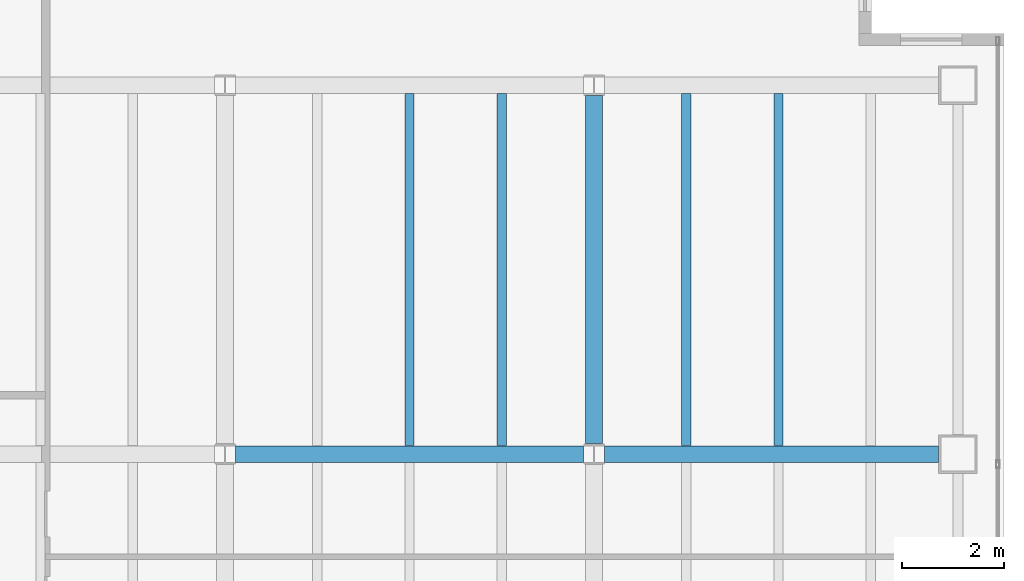
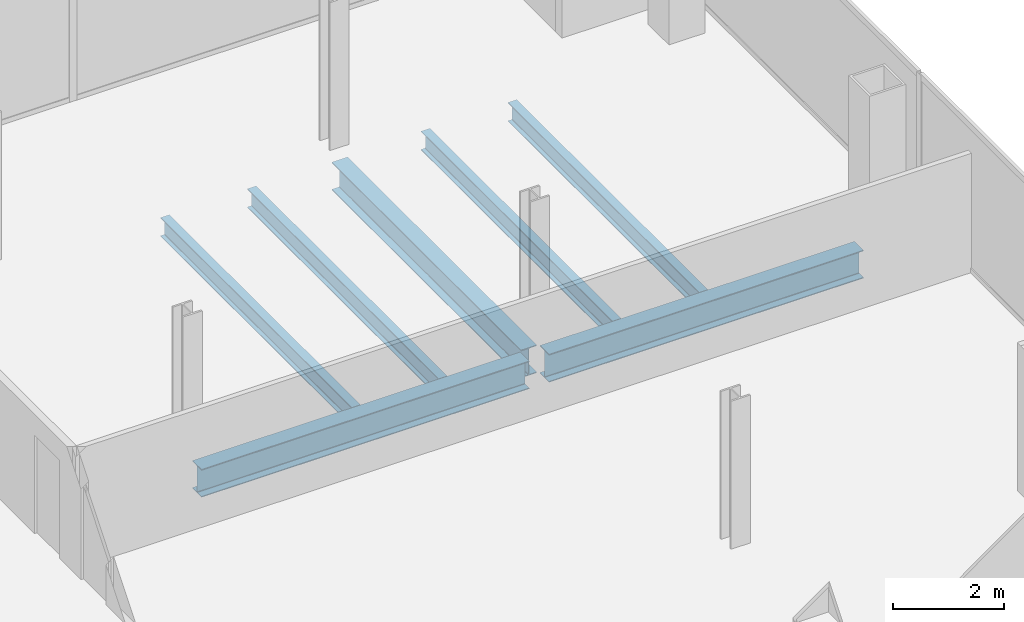
# One storey, part 13 of 23: 7 beams.
"""IFC4 building model written with IfcOpenShell, lengths in metres."""

from ifc_helpers import new_model, si_unit, direction, frame, origin, origin_2d, place, context, subcontext, project, spatial, i_section, extrude, material, material_profile, profile_set, type_object, element, save


model = new_model("IFC4")

# Units and contexts
model_context = context("Model", 3, precision=1e-05, world=origin(), true_north=direction((0.0, 1.0)))
body_context = subcontext(model_context, "Body", "Model", "MODEL_VIEW")
ifc_project = project(units=[si_unit("LENGTHUNIT", "METRE"), si_unit("AREAUNIT", "SQUARE_METRE"), si_unit("VOLUMEUNIT", "CUBIC_METRE"), si_unit("PLANEANGLEUNIT", "RADIAN"), si_unit("MASSUNIT", "GRAM", prefix="KILO")], contexts=[model_context])

# Site, building, storey
site_placement = place(None, origin())
site = spatial("IfcSite", under=ifc_project, at=site_placement, CompositionType="ELEMENT")
building_placement = place(site_placement, origin())
building = spatial("IfcBuilding", under=site, at=building_placement, Name="Cobrela Telecom Tower", CompositionType="ELEMENT")
storey_placement = place(building_placement, frame((0.0, 0.0, 204.75)))
storey = spatial("IfcBuildingStorey", under=building, at=storey_placement, Name="L52", CompositionType="ELEMENT", Elevation=204.75)

# Beams
ifc_material = material(Name="Steel ASTM A992 Grade 50", Category="steel")
ifc_material_profile_1 = material_profile(ifc_material, i_section(OverallWidth=0.324951171875, OverallDepth=0.612060546875, WebThickness=0.0126953125, FlangeThickness=0.01904296875, FilletRadius=0.014892578125, at=origin_2d()), Name="W24X104")
ifc_profile_set_1 = profile_set([ifc_material_profile_1], Name="Steel ASTM A992 Grade 50")
beam_type_1 = type_object("IfcBeamType", Name="BM-GIRD-07", PredefinedType="USERDEFINED", material=ifc_profile_set_1)
beam_1_placement = place(storey_placement, frame((29.00439453125, 14.39990234375, -0.56591796875), z_axis=(1.0, 0.0, 0.0), x_axis=(0.0, 1.0, 0.0)))
element("IfcBeam", 1, at=beam_1_placement, inside=storey, type_object=beam_type_1, Name="L52 Primary Girder X13", ObjectType="GIRDER", PredefinedType="USERDEFINED", context=body_context, shape_type="SweptSolid", body=[
    extrude(i_section(OverallWidth=0.324951171875, OverallDepth=0.612060546875, WebThickness=0.0126953125, FlangeThickness=0.01904296875, FilletRadius=0.014892578125, at=origin_2d()), origin(), (0.0, 0.0, 1.0), 6.791015625),
])
beam_2_placement = place(storey_placement, frame((36.20458984375, 14.39990234375, -0.56591796875), z_axis=(1.0, 0.0, 0.0), x_axis=(0.0, 1.0, 0.0)))
element("IfcBeam", 2, at=beam_2_placement, inside=storey, type_object=beam_type_1, Name="L52 Primary Girder X14", ObjectType="GIRDER", PredefinedType="USERDEFINED", context=body_context, shape_type="SweptSolid", body=[
    extrude(i_section(OverallWidth=0.324951171875, OverallDepth=0.612060546875, WebThickness=0.0126953125, FlangeThickness=0.01904296875, FilletRadius=0.014892578125, at=origin_2d()), origin(), (0.0, 0.0, 1.0), 6.515380859375),
])
beam_3_placement = place(storey_placement, frame((36.0, 14.6044921875, -0.56591796875), z_axis=(0.0, 1.0, 0.0), x_axis=(-1.0, 0.0, 0.0)))
element("IfcBeam", 3, at=beam_3_placement, inside=storey, type_object=beam_type_1, Name="L52 Primary Girder Y41", ObjectType="GIRDER", PredefinedType="USERDEFINED", context=body_context, shape_type="SweptSolid", body=[
    extrude(i_section(OverallWidth=0.324951171875, OverallDepth=0.612060546875, WebThickness=0.0126953125, FlangeThickness=0.01904296875, FilletRadius=0.014892578125, at=origin_2d()), origin(), (0.0, 0.0, 1.0), 6.791015625),
])
ifc_material_profile_2 = material_profile(ifc_material, i_section(OverallWidth=0.179931640625, OverallDepth=0.4169921875, WebThickness=0.010986328125, FlangeThickness=0.01806640625, FilletRadius=0.011962890625, at=origin_2d()), Name="W16X57")
ifc_profile_set_2 = profile_set([ifc_material_profile_2], Name="Steel ASTM A992 Grade 50")
beam_type_2 = type_object("IfcBeamType", Name="BM-JOIST-04", PredefinedType="JOIST", material=ifc_profile_set_2)
for number, where, z_axis, x_axis, name in (
    (4, (32.39990234375, 14.5673828125, -0.468505859375), (0.0, 1.0, 0.0), (-1.0, 0.0, 0.0), "L52 Secondary Composite Floor Beam J22"),
    (5, (34.199951171875, 14.5673828125, -0.468505859375), (0.0, 1.0, 0.0), (-1.0, 0.0, 0.0), "L52 Secondary Composite Floor Beam J24"),
    (6, (37.800048828125, 14.5673828125, -0.468505859375), (0.0, 1.0, 0.0), (-1.0, 0.0, 0.0), "L52 Secondary Composite Floor Beam J26"),
    (7, (39.60009765625, 14.5673828125, -0.468505859375), (0.0, 1.0, 0.0), (-1.0, 0.0, 0.0), "L52 Secondary Composite Floor Beam J28"),
):
    element("IfcBeam", number, at=place(storey_placement, frame(where, z_axis=z_axis, x_axis=x_axis)), inside=storey, type_object=beam_type_2, Name=name, PredefinedType="JOIST", context=body_context, shape_type="SweptSolid", body=[
        extrude(i_section(OverallWidth=0.179931640625, OverallDepth=0.4169921875, WebThickness=0.010986328125, FlangeThickness=0.01806640625, FilletRadius=0.011962890625, at=origin_2d()), origin(), (0.0, 0.0, 1.0), 6.865234375),
    ])

save(model, "model.ifc")
